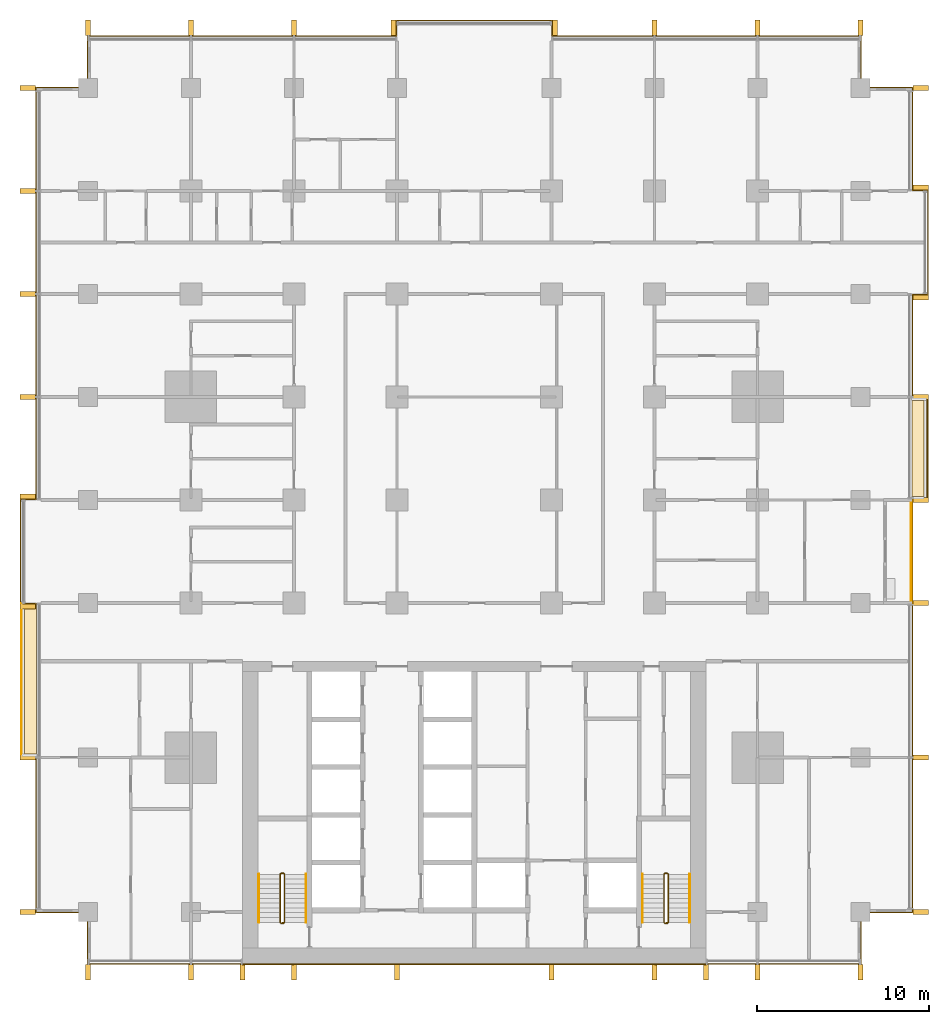
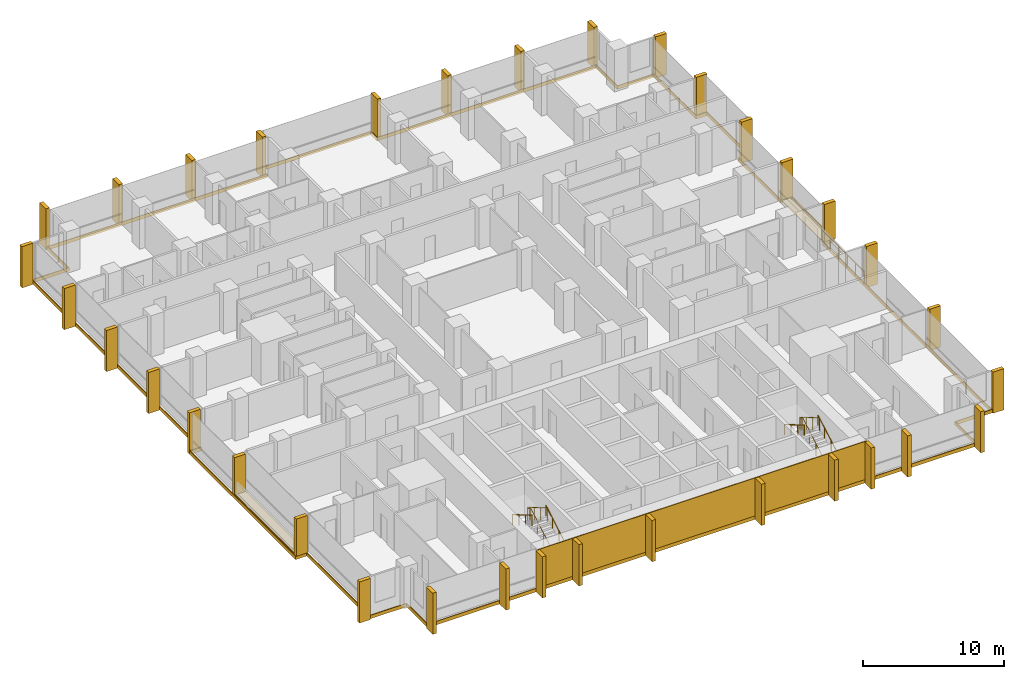
# One storey, part 17 of 17: 34 shading devices, 10 coverings, 7 railings.
"""IFC4 building model written with IfcOpenShell, lengths in metres."""

from ifc_helpers import new_model, si_unit, direction, frame, origin, origin_2d, place, context, subcontext, project, spatial, polyline, rectangle, circle, outline, extrude, material, layer, layer_set, type_object, element, save


model = new_model("IFC4")

# Units and contexts
model_context = context("Model", 3, precision=1e-05, world=origin(), true_north=direction((0.0, 1.0)))
body_context = subcontext(model_context, "Body", "Model", "MODEL_VIEW")
ifc_project = project(units=[si_unit("LENGTHUNIT", "METRE"), si_unit("AREAUNIT", "SQUARE_METRE"), si_unit("VOLUMEUNIT", "CUBIC_METRE"), si_unit("PLANEANGLEUNIT", "RADIAN"), si_unit("MASSUNIT", "GRAM", prefix="KILO")], contexts=[model_context])

# Site, building, storey
site_placement = place(None, origin())
site = spatial("IfcSite", under=ifc_project, at=site_placement, CompositionType="ELEMENT")
building_placement = place(site_placement, origin())
building = spatial("IfcBuilding", under=site, at=building_placement, Name="Finial Court Residences", CompositionType="ELEMENT")
storey_placement = place(building_placement, frame((0.0, 0.0, 64.89990234375)))
storey = spatial("IfcBuildingStorey", under=building, at=storey_placement, Name="L15", CompositionType="ELEMENT", Elevation=64.89990234375)

# Railing
ifc_material_1 = material(Name="Bronze anodised aluminium", Category="aluminium")
railing_type_1 = type_object("IfcRailingType", Name="Balcony guard 1100", PredefinedType="GUARDRAIL", material=ifc_material_1)
railing_1_placement = place(storey_placement, frame((25.449951171875, -4.5, 0.0)))
element("IfcRailing", 1, at=railing_1_placement, inside=storey, type_object=railing_type_1, Name="E-L15-BALE3-R", PredefinedType="GUARDRAIL", context=body_context, shape_type="SweptSolid", body=[
    extrude(circle(Radius=0.02392578125, at=origin_2d()), frame((0.0, 0.0, 1.076171875), z_axis=(0.0, 1.0, 0.0), x_axis=(-1.0, 0.0, 0.0)), (0.0, 0.0, 1.0), 6.0),
    extrude(circle(Radius=0.02099609375, at=origin_2d()), origin(), (0.0, 0.0, 1.0), 1.052001953125),
    extrude(circle(Radius=0.02099609375, at=origin_2d()), frame((0.0, 1.199951171875, 0.0)), (0.0, 0.0, 1.0), 1.052001953125),
    extrude(circle(Radius=0.02099609375, at=origin_2d()), frame((0.0, 2.39990234375, 0.0)), (0.0, 0.0, 1.0), 1.052001953125),
    extrude(circle(Radius=0.02099609375, at=origin_2d()), frame((0.0, 3.60009765625, 0.0)), (0.0, 0.0, 1.0), 1.052001953125),
    extrude(circle(Radius=0.02099609375, at=origin_2d()), frame((0.0, 4.800048828125, 0.0)), (0.0, 0.0, 1.0), 1.052001953125),
    extrude(circle(Radius=0.02099609375, at=origin_2d()), frame((0.0, 6.0, 0.0)), (0.0, 0.0, 1.0), 1.052001953125),
])

# Coverings
ifc_material_2 = material(Name="Natural limestone", Category="masonry")
ifc_layer_1 = layer(ifc_material_2, 0.06005859375)
ifc_layer_set_1 = layer_set([ifc_layer_1], Name="Limestone cladding to the blind core face 60")
covering_type_1 = type_object("IfcCoveringType", Name="Limestone cladding to the blind core face 60", PredefinedType="CLADDING", material=ifc_layer_set_1)
covering_1_placement = place(storey_placement, origin())
element("IfcCovering", 2, at=covering_1_placement, inside=storey, type_object=covering_type_1, Name="E-L15-CLAD1", PredefinedType="CLADDING", context=body_context, shape_type="SweptSolid", body=[
    extrude(outline(polyline([(-10.5, -25.56005859375), (-10.5, -25.5), (-13.5, -25.5), (-13.5, -25.56005859375), (-10.5, -25.56005859375)])), origin(), (0.0, 0.0, 1.0), 3.300048828125),
])
covering_2_placement = place(storey_placement, origin())
element("IfcCovering", 3, at=covering_2_placement, inside=storey, type_object=covering_type_1, Name="E-L15-CLAD2", PredefinedType="CLADDING", context=body_context, shape_type="SweptSolid", body=[
    extrude(outline(polyline([(-4.5, -25.56005859375), (-4.5, -25.5), (-10.5, -25.5), (-10.5, -25.56005859375), (-4.5, -25.56005859375)])), origin(), (0.0, 0.0, 1.0), 3.300048828125),
])
covering_3_placement = place(storey_placement, origin())
element("IfcCovering", 4, at=covering_3_placement, inside=storey, type_object=covering_type_1, Name="E-L15-CLAD3", PredefinedType="CLADDING", context=body_context, shape_type="SweptSolid", body=[
    extrude(outline(polyline([(4.5, -25.56005859375), (4.5, -25.5), (-4.5, -25.5), (-4.5, -25.56005859375), (4.5, -25.56005859375)])), origin(), (0.0, 0.0, 1.0), 3.300048828125),
])
covering_4_placement = place(storey_placement, origin())
element("IfcCovering", 5, at=covering_4_placement, inside=storey, type_object=covering_type_1, Name="E-L15-CLAD4", PredefinedType="CLADDING", context=body_context, shape_type="SweptSolid", body=[
    extrude(outline(polyline([(10.5, -25.56005859375), (10.5, -25.5), (4.5, -25.5), (4.5, -25.56005859375), (10.5, -25.56005859375)])), origin(), (0.0, 0.0, 1.0), 3.300048828125),
])
covering_5_placement = place(storey_placement, origin())
element("IfcCovering", 6, at=covering_5_placement, inside=storey, type_object=covering_type_1, Name="E-L15-CLAD5", PredefinedType="CLADDING", context=body_context, shape_type="SweptSolid", body=[
    extrude(outline(polyline([(13.5, -25.56005859375), (13.5, -25.5), (10.5, -25.5), (10.5, -25.56005859375), (13.5, -25.56005859375)])), origin(), (0.0, 0.0, 1.0), 3.300048828125),
])

# Shading devices
shading_device_type = type_object("IfcShadingDeviceType", Name="Limestone fin 300 x 900", PredefinedType="USERDEFINED", material=ifc_material_2)
for number, where, z_axis, x_axis, name in (
    (7, (-22.5, 29.010009765625, -0.300048828125), (0.0, 0.0, 1.0), (1.0, 0.0, 0.0), "E-L15-FIN-N1"),
    (8, (-16.5, 29.010009765625, -0.300048828125), (0.0, 0.0, 1.0), (1.0, 0.0, 0.0), "E-L15-FIN-N2"),
    (9, (-10.5, 29.010009765625, -0.300048828125), (0.0, 0.0, 1.0), (1.0, 0.0, 0.0), "E-L15-FIN-N3"),
    (10, (-4.7099609375, 29.010009765625, -0.300048828125), (0.0, 0.0, 1.0), (1.0, 0.0, 0.0), "E-L15-FIN-N4"),
    (11, (4.7099609375, 29.010009765625, -0.300048828125), (0.0, 0.0, 1.0), (1.0, 0.0, 0.0), "E-L15-FIN-N5"),
    (12, (10.5, 29.010009765625, -0.300048828125), (0.0, 0.0, 1.0), (1.0, 0.0, 0.0), "E-L15-FIN-N6"),
    (13, (16.5, 29.010009765625, -0.300048828125), (0.0, 0.0, 1.0), (1.0, 0.0, 0.0), "E-L15-FIN-N7"),
    (14, (22.5, 29.010009765625, -0.300048828125), (0.0, 0.0, 1.0), (1.0, 0.0, 0.0), "E-L15-FIN-N8"),
):
    element("IfcShadingDevice", number, at=place(storey_placement, frame(where, z_axis=z_axis, x_axis=x_axis)), inside=storey, type_object=shading_device_type, Name=name, ObjectType="FIN", PredefinedType="USERDEFINED", context=body_context, shape_type="SweptSolid", body=[
        extrude(rectangle(XDim=0.300048828125, YDim=0.89990234375, at=origin_2d()), origin(), (0.0, 0.0, 1.0), 3.580078125),
    ])
for number, where, z_axis, x_axis, name in (
    (15, (26.010009765625, -22.5, -0.300048828125), (0.0, 0.0, 1.0), (1.0, 0.0, 0.0), "E-L15-FIN-E9"),
    (16, (26.010009765625, -13.5, -0.300048828125), (0.0, 0.0, 1.0), (1.0, 0.0, 0.0), "E-L15-FIN-E10"),
    (17, (26.010009765625, -4.5, -0.300048828125), (0.0, 0.0, 1.0), (1.0, 0.0, 0.0), "E-L15-FIN-E11"),
):
    element("IfcShadingDevice", number, at=place(storey_placement, frame(where, z_axis=z_axis, x_axis=x_axis)), inside=storey, type_object=shading_device_type, Name=name, ObjectType="FIN", PredefinedType="USERDEFINED", context=body_context, shape_type="SweptSolid", body=[
        extrude(rectangle(XDim=0.89990234375, YDim=0.300048828125, at=origin_2d()), origin(), (0.0, 0.0, 1.0), 3.580078125),
    ])
for number, where, z_axis, x_axis, name in (
    (18, (26.010009765625, 1.5, 0.0400390625), (0.0, 0.0, 1.0), (1.0, 0.0, 0.0), "E-L15-FIN-E12"),
    (19, (26.010009765625, 7.5, 0.0400390625), (0.0, 0.0, 1.0), (1.0, 0.0, 0.0), "E-L15-FIN-E13"),
):
    element("IfcShadingDevice", number, at=place(storey_placement, frame(where, z_axis=z_axis, x_axis=x_axis)), inside=storey, type_object=shading_device_type, Name=name, ObjectType="FIN", PredefinedType="USERDEFINED", context=body_context, shape_type="SweptSolid", body=[
        extrude(rectangle(XDim=0.89990234375, YDim=0.300048828125, at=origin_2d()), origin(), (0.0, 0.0, 1.0), 3.239990234375),
    ])
for number, where, z_axis, x_axis, name in (
    (20, (26.010009765625, 13.2900390625, -0.300048828125), (0.0, 0.0, 1.0), (1.0, 0.0, 0.0), "E-L15-FIN-E14"),
    (21, (26.010009765625, 19.7099609375, -0.300048828125), (0.0, 0.0, 1.0), (1.0, 0.0, 0.0), "E-L15-FIN-E15"),
    (22, (26.010009765625, 25.5, -0.300048828125), (0.0, 0.0, 1.0), (1.0, 0.0, 0.0), "E-L15-FIN-E16"),
):
    element("IfcShadingDevice", number, at=place(storey_placement, frame(where, z_axis=z_axis, x_axis=x_axis)), inside=storey, type_object=shading_device_type, Name=name, ObjectType="FIN", PredefinedType="USERDEFINED", context=body_context, shape_type="SweptSolid", body=[
        extrude(rectangle(XDim=0.89990234375, YDim=0.300048828125, at=origin_2d()), origin(), (0.0, 0.0, 1.0), 3.580078125),
    ])
for number, where, z_axis, x_axis, name in (
    (23, (-22.5, -26.010009765625, -0.300048828125), (0.0, 0.0, 1.0), (1.0, 0.0, 0.0), "E-L15-FIN-S17"),
    (24, (-16.5, -26.010009765625, -0.300048828125), (0.0, 0.0, 1.0), (1.0, 0.0, 0.0), "E-L15-FIN-S18"),
    (25, (-13.5, -26.010009765625, -0.300048828125), (0.0, 0.0, 1.0), (1.0, 0.0, 0.0), "E-L15-FIN-S19"),
    (26, (-10.5, -26.010009765625, -0.300048828125), (0.0, 0.0, 1.0), (1.0, 0.0, 0.0), "E-L15-FIN-S20"),
    (27, (-4.5, -26.010009765625, -0.300048828125), (0.0, 0.0, 1.0), (1.0, 0.0, 0.0), "E-L15-FIN-S21"),
    (28, (4.5, -26.010009765625, -0.300048828125), (0.0, 0.0, 1.0), (1.0, 0.0, 0.0), "E-L15-FIN-S22"),
    (29, (10.5, -26.010009765625, -0.300048828125), (0.0, 0.0, 1.0), (1.0, 0.0, 0.0), "E-L15-FIN-S23"),
    (30, (13.5, -26.010009765625, -0.300048828125), (0.0, 0.0, 1.0), (1.0, 0.0, 0.0), "E-L15-FIN-S24"),
    (31, (16.5, -26.010009765625, -0.300048828125), (0.0, 0.0, 1.0), (1.0, 0.0, 0.0), "E-L15-FIN-S25"),
    (32, (22.5, -26.010009765625, -0.300048828125), (0.0, 0.0, 1.0), (1.0, 0.0, 0.0), "E-L15-FIN-S26"),
):
    element("IfcShadingDevice", number, at=place(storey_placement, frame(where, z_axis=z_axis, x_axis=x_axis)), inside=storey, type_object=shading_device_type, Name=name, ObjectType="FIN", PredefinedType="USERDEFINED", context=body_context, shape_type="SweptSolid", body=[
        extrude(rectangle(XDim=0.300048828125, YDim=0.89990234375, at=origin_2d()), origin(), (0.0, 0.0, 1.0), 3.580078125),
    ])
shading_device_placement = place(storey_placement, frame((-26.010009765625, -22.5, -0.300048828125), z_axis=(0.0, 0.0, 1.0), x_axis=(1.0, 0.0, 0.0)))
element("IfcShadingDevice", 33, at=shading_device_placement, inside=storey, type_object=shading_device_type, Name="E-L15-FIN-W27", ObjectType="FIN", PredefinedType="USERDEFINED", context=body_context, shape_type="SweptSolid", body=[
    extrude(rectangle(XDim=0.89990234375, YDim=0.300048828125, at=origin_2d()), origin(), (0.0, 0.0, 1.0), 3.580078125),
])
for number, where, z_axis, x_axis, name in (
    (34, (-26.010009765625, -13.5, 0.0400390625), (0.0, 0.0, 1.0), (1.0, 0.0, 0.0), "E-L15-FIN-W28"),
    (35, (-26.010009765625, -4.7099609375, 0.0400390625), (0.0, 0.0, 1.0), (1.0, 0.0, 0.0), "E-L15-FIN-W29"),
):
    element("IfcShadingDevice", number, at=place(storey_placement, frame(where, z_axis=z_axis, x_axis=x_axis)), inside=storey, type_object=shading_device_type, Name=name, ObjectType="FIN", PredefinedType="USERDEFINED", context=body_context, shape_type="SweptSolid", body=[
        extrude(rectangle(XDim=0.89990234375, YDim=0.300048828125, at=origin_2d()), origin(), (0.0, 0.0, 1.0), 3.239990234375),
    ])
for number, where, z_axis, x_axis, name in (
    (36, (-26.010009765625, 1.7099609375, -0.300048828125), (0.0, 0.0, 1.0), (1.0, 0.0, 0.0), "E-L15-FIN-W30"),
    (37, (-26.010009765625, 7.5, -0.300048828125), (0.0, 0.0, 1.0), (1.0, 0.0, 0.0), "E-L15-FIN-W31"),
    (38, (-26.010009765625, 13.5, -0.300048828125), (0.0, 0.0, 1.0), (1.0, 0.0, 0.0), "E-L15-FIN-W32"),
    (39, (-26.010009765625, 19.5, -0.300048828125), (0.0, 0.0, 1.0), (1.0, 0.0, 0.0), "E-L15-FIN-W33"),
    (40, (-26.010009765625, 25.5, -0.300048828125), (0.0, 0.0, 1.0), (1.0, 0.0, 0.0), "E-L15-FIN-W34"),
):
    element("IfcShadingDevice", number, at=place(storey_placement, frame(where, z_axis=z_axis, x_axis=x_axis)), inside=storey, type_object=shading_device_type, Name=name, ObjectType="FIN", PredefinedType="USERDEFINED", context=body_context, shape_type="SweptSolid", body=[
        extrude(rectangle(XDim=0.89990234375, YDim=0.300048828125, at=origin_2d()), origin(), (0.0, 0.0, 1.0), 3.580078125),
    ])

# Coverings
ifc_material_3 = material(Name="Pale limestone", Category="masonry")
ifc_layer_2 = layer(ifc_material_3, 0.06005859375)
ifc_layer_set_2 = layer_set([ifc_layer_2], Name="Pale limestone slab-edge band 60")
covering_type_2 = type_object("IfcCoveringType", Name="Pale limestone slab-edge band 60", PredefinedType="CLADDING", material=ifc_layer_set_2)
covering_6_placement = place(storey_placement, frame((0.0, 0.0, -0.2998046875)))
element("IfcCovering", 41, at=covering_6_placement, inside=storey, type_object=covering_type_2, Name="E-L15-BAND1", PredefinedType="CLADDING", context=body_context, shape_type="SweptSolid", body=[
    extrude(outline(polyline([(-26.4599609375, 1.56005859375), (-25.56005859375, 1.56005859375), (-25.56005859375, 25.56005859375), (-22.56005859375, 25.56005859375), (-22.56005859375, 28.56005859375), (-4.56005859375, 28.56005859375), (-4.56005859375, 29.4599609375), (4.56005859375, 29.4599609375), (4.56005859375, 28.56005859375), (22.56005859375, 28.56005859375), (22.56005859375, 25.56005859375), (25.56005859375, 25.56005859375), (25.56005859375, 19.56005859375), (26.4599609375, 19.56005859375), (26.4599609375, 13.43994140625), (25.56005859375, 13.43994140625), (25.56005859375, 7.56005859375), (26.4599609375, 7.56005859375), (26.4599609375, 1.43994140625), (25.56005859375, 1.43994140625), (25.56005859375, -22.56005859375), (22.56005859375, -22.56005859375), (22.56005859375, -25.56005859375), (-22.56005859375, -25.56005859375), (-22.56005859375, -22.56005859375), (-25.56005859375, -22.56005859375), (-25.56005859375, -13.56005859375), (-26.4599609375, -13.56005859375), (-26.4599609375, 1.56005859375)]), holes=[polyline([(-25.5, -13.5), (-25.5, -22.5), (-22.5, -22.5), (-22.5, -25.5), (22.5, -25.5), (22.5, -22.5), (25.5, -22.5), (25.5, -4.5), (25.5, 1.5), (26.39990234375, 1.5), (26.39990234375, 7.5), (25.5, 7.5), (25.5, 13.5), (26.39990234375, 13.5), (26.39990234375, 19.5), (25.5, 19.5), (25.5, 25.5), (22.5, 25.5), (22.5, 28.5), (4.5, 28.5), (4.5, 29.39990234375), (-4.5, 29.39990234375), (-4.5, 28.5), (-22.5, 28.5), (-22.5, 25.5), (-25.5, 25.5), (-25.5, 1.5), (-26.39990234375, 1.5), (-26.39990234375, -4.5), (-26.39990234375, -13.5), (-25.5, -13.5)])]), origin(), (0.0, 0.0, 1.0), 0.2998046875),
])
ifc_material_4 = material(Name="Bitumen membrane")
ifc_layer_3 = layer(ifc_material_4, 0.0400390625)
ifc_layer_set_3 = layer_set([ifc_layer_3], Name="Push box roofing, bitumen membrane 40")
covering_type_3 = type_object("IfcCoveringType", Name="Push box roofing, bitumen membrane 40", PredefinedType="ROOFING", material=ifc_layer_set_3)
covering_7_placement = place(storey_placement, origin())
element("IfcCovering", 42, at=covering_7_placement, inside=storey, type_object=covering_type_3, Name="E-L15-LED1", PredefinedType="ROOFING", context=body_context, shape_type="SweptSolid", body=[
    extrude(outline(polyline([(25.5, 1.550048828125), (26.199951171875, 1.550048828125), (26.35009765625, 1.550048828125), (26.35009765625, 7.300048828125), (26.35009765625, 7.300048828125), (26.35009765625, 7.449951171875), (25.5, 7.449951171875), (25.5, 7.5), (26.39990234375, 7.5), (26.39990234375, 1.5), (25.5, 1.5), (25.5, 1.550048828125)])), origin(), (0.0, 0.0, 1.0), 0.0400390625),
])
covering_8_placement = place(storey_placement, origin())
element("IfcCovering", 43, at=covering_8_placement, inside=storey, type_object=covering_type_3, Name="E-L15-LED1b", PredefinedType="ROOFING", context=body_context, shape_type="SweptSolid", body=[
    extrude(outline(polyline([(25.5, 7.300048828125), (26.199951171875, 7.300048828125), (26.199951171875, 1.699951171875), (25.5, 1.699951171875), (25.5, 7.300048828125)])), origin(), (0.0, 0.0, 1.0), 0.0400390625),
])
covering_9_placement = place(storey_placement, origin())
element("IfcCovering", 44, at=covering_9_placement, inside=storey, type_object=covering_type_3, Name="E-L15-LED2", PredefinedType="ROOFING", context=body_context, shape_type="SweptSolid", body=[
    extrude(outline(polyline([(-25.5, -13.300048828125), (-26.199951171875, -13.300048828125), (-26.199951171875, -4.5), (-25.5, -4.5), (-25.5, -13.300048828125)])), origin(), (0.0, 0.0, 1.0), 0.0400390625),
])
covering_10_placement = place(storey_placement, origin())
element("IfcCovering", 45, at=covering_10_placement, inside=storey, type_object=covering_type_3, Name="E-L15-LED2b", PredefinedType="ROOFING", context=body_context, shape_type="SweptSolid", body=[
    extrude(outline(polyline([(-25.5, -13.5), (-26.39990234375, -13.5), (-26.39990234375, -4.5), (-26.35009765625, -4.5), (-26.35009765625, -13.300048828125), (-26.35009765625, -13.300048828125), (-26.35009765625, -13.449951171875), (-25.5, -13.449951171875), (-25.5, -13.5)])), origin(), (0.0, 0.0, 1.0), 0.0400390625),
])

# Railings
ifc_material_5 = material(Name="Stainless steel railing", Category="steel")
railing_type_2 = type_object("IfcRailingType", Name="Stair guard 1100", PredefinedType="GUARDRAIL", material=ifc_material_5)
railing_2_placement = place(storey_placement, frame((-11.10009765625, -23.14990234375, 0.0)))
element("IfcRailing", 46, at=railing_2_placement, inside=storey, type_object=railing_type_2, Name="L15 ST-1 stair guard 1", PredefinedType="GUARDRAIL", context=body_context, shape_type="SweptSolid", body=[
    extrude(circle(Radius=0.02392578125, at=origin_2d()), frame((0.0, 0.0, 1.076171875), z_axis=(-1.0, 0.0, 0.0), x_axis=(0.0, -1.0, 0.0)), (0.0, 0.0, 1.0), 0.14990234375),
    extrude(circle(Radius=0.02392578125, at=origin_2d()), frame((-0.14990234375, 0.0, 1.076171875), z_axis=(0.759565762229, 0.189195867515, 0.622306015208), x_axis=(-0.241699205484, 0.970351222016, 0.0)), (0.0, 0.0, 1.0), 0.26318359375),
    extrude(circle(Radius=0.02392578125, at=origin_2d()), frame((0.050048828125, 0.0498046875, 1.23974609375), z_axis=(0.0, 0.863393664356, 0.504530851732), x_axis=(-1.0, 0.0, 0.0)), (0.0, 0.0, 1.0), 3.2431640625),
    extrude(circle(Radius=0.02392578125, at=origin_2d()), frame((0.050048828125, 2.849853515625, 2.8759765625), z_axis=(-0.707106781187, 0.707106781187, 0.0), x_axis=(-0.707106781187, -0.707106781187, 0.0)), (0.0, 0.0, 1.0), 0.07080078125),
    extrude(circle(Radius=0.02392578125, at=origin_2d()), frame((0.0, 2.89990234375, 2.8759765625), z_axis=(-1.0, 0.0, 0.0), x_axis=(0.0, -1.0, 0.0)), (0.0, 0.0, 1.0), 0.14990234375),
    extrude(circle(Radius=0.02392578125, at=origin_2d()), frame((-0.14990234375, 2.89990234375, 2.8759765625), z_axis=(-0.280808744504, -0.280808744504, 0.917765164963), x_axis=(0.707106781187, -0.707106781187, 0.0)), (0.0, 0.0, 1.0), 0.17822265625),
    extrude(circle(Radius=0.02392578125, at=origin_2d()), frame((-0.199951171875, 2.849853515625, 3.03955078125), z_axis=(0.0, -0.863360870873, 0.504586966384), x_axis=(1.0, 0.0, 0.0)), (0.0, 0.0, 1.0), 3.2431640625),
    extrude(circle(Radius=0.02099609375, at=origin_2d()), origin(), (0.0, 0.0, 1.0), 1.052001953125),
    extrude(circle(Radius=0.02099609375, at=origin_2d()), frame((-0.14990234375, 0.0, 0.0)), (0.0, 0.0, 1.0), 1.052001953125),
    extrude(circle(Radius=0.02099609375, at=origin_2d()), frame((0.050048828125, 0.0498046875, 0.163818359375)), (0.0, 0.0, 1.0), 1.052001953125),
    extrude(circle(Radius=0.02099609375, at=origin_2d()), frame((0.050048828125, 0.983154296875, 0.709228515625)), (0.0, 0.0, 1.0), 1.052001953125),
    extrude(circle(Radius=0.02099609375, at=origin_2d()), frame((0.050048828125, 1.91650390625, 1.254638671875)), (0.0, 0.0, 1.0), 1.052001953125),
    extrude(circle(Radius=0.02099609375, at=origin_2d()), frame((0.050048828125, 2.849853515625, 1.800048828125)), (0.0, 0.0, 1.0), 1.052001953125),
    extrude(circle(Radius=0.02099609375, at=origin_2d()), frame((0.0, 2.89990234375, 1.800048828125)), (0.0, 0.0, 1.0), 1.052001953125),
    extrude(circle(Radius=0.02099609375, at=origin_2d()), frame((-0.14990234375, 2.89990234375, 1.800048828125)), (0.0, 0.0, 1.0), 1.052001953125),
    extrude(circle(Radius=0.02099609375, at=origin_2d()), frame((-0.199951171875, 2.849853515625, 1.963623046875)), (0.0, 0.0, 1.0), 1.052001953125),
    extrude(circle(Radius=0.02099609375, at=origin_2d()), frame((-0.199951171875, 1.91650390625, 2.509033203125)), (0.0, 0.0, 1.0), 1.052001953125),
    extrude(circle(Radius=0.02099609375, at=origin_2d()), frame((-0.199951171875, 0.983154296875, 3.0546875)), (0.0, 0.0, 1.0), 1.052001953125),
    extrude(circle(Radius=0.02099609375, at=origin_2d()), frame((-0.199951171875, 0.0498046875, 3.60009765625)), (0.0, 0.0, 1.0), 1.052001953125),
])
railing_3_placement = place(storey_placement, frame((11.25, -23.14990234375, 0.0)))
element("IfcRailing", 47, at=railing_3_placement, inside=storey, type_object=railing_type_2, Name="L15 ST-2 stair guard 1", PredefinedType="GUARDRAIL", context=body_context, shape_type="SweptSolid", body=[
    extrude(circle(Radius=0.02392578125, at=origin_2d()), frame((0.0, 0.0, 1.076171875), z_axis=(-1.0, 0.0, 0.0), x_axis=(0.0, -1.0, 0.0)), (0.0, 0.0, 1.0), 0.14990234375),
    extrude(circle(Radius=0.02392578125, at=origin_2d()), frame((-0.14990234375, 0.0, 1.076171875), z_axis=(0.759565762229, 0.189195867515, 0.622306015208), x_axis=(-0.241699205484, 0.970351222016, 0.0)), (0.0, 0.0, 1.0), 0.26318359375),
    extrude(circle(Radius=0.02392578125, at=origin_2d()), frame((0.050048828125, 0.0498046875, 1.23974609375), z_axis=(0.0, 0.863393664356, 0.504530851732), x_axis=(-1.0, 0.0, 0.0)), (0.0, 0.0, 1.0), 3.2431640625),
    extrude(circle(Radius=0.02392578125, at=origin_2d()), frame((0.050048828125, 2.849853515625, 2.8759765625), z_axis=(-0.707106781187, 0.707106781187, 0.0), x_axis=(-0.707106781187, -0.707106781187, 0.0)), (0.0, 0.0, 1.0), 0.07080078125),
    extrude(circle(Radius=0.02392578125, at=origin_2d()), frame((0.0, 2.89990234375, 2.8759765625), z_axis=(-1.0, 0.0, 0.0), x_axis=(0.0, -1.0, 0.0)), (0.0, 0.0, 1.0), 0.14990234375),
    extrude(circle(Radius=0.02392578125, at=origin_2d()), frame((-0.14990234375, 2.89990234375, 2.8759765625), z_axis=(-0.280808744504, -0.280808744504, 0.917765164963), x_axis=(0.707106781187, -0.707106781187, 0.0)), (0.0, 0.0, 1.0), 0.17822265625),
    extrude(circle(Radius=0.02392578125, at=origin_2d()), frame((-0.199951171875, 2.849853515625, 3.03955078125), z_axis=(0.0, -0.863360870873, 0.504586966384), x_axis=(1.0, 0.0, 0.0)), (0.0, 0.0, 1.0), 3.2431640625),
    extrude(circle(Radius=0.02099609375, at=origin_2d()), origin(), (0.0, 0.0, 1.0), 1.052001953125),
    extrude(circle(Radius=0.02099609375, at=origin_2d()), frame((-0.14990234375, 0.0, 0.0)), (0.0, 0.0, 1.0), 1.052001953125),
    extrude(circle(Radius=0.02099609375, at=origin_2d()), frame((0.050048828125, 0.0498046875, 0.163818359375)), (0.0, 0.0, 1.0), 1.052001953125),
    extrude(circle(Radius=0.02099609375, at=origin_2d()), frame((0.050048828125, 0.983154296875, 0.709228515625)), (0.0, 0.0, 1.0), 1.052001953125),
    extrude(circle(Radius=0.02099609375, at=origin_2d()), frame((0.050048828125, 1.91650390625, 1.254638671875)), (0.0, 0.0, 1.0), 1.052001953125),
    extrude(circle(Radius=0.02099609375, at=origin_2d()), frame((0.050048828125, 2.849853515625, 1.800048828125)), (0.0, 0.0, 1.0), 1.052001953125),
    extrude(circle(Radius=0.02099609375, at=origin_2d()), frame((0.0, 2.89990234375, 1.800048828125)), (0.0, 0.0, 1.0), 1.052001953125),
    extrude(circle(Radius=0.02099609375, at=origin_2d()), frame((-0.14990234375, 2.89990234375, 1.800048828125)), (0.0, 0.0, 1.0), 1.052001953125),
    extrude(circle(Radius=0.02099609375, at=origin_2d()), frame((-0.199951171875, 2.849853515625, 1.963623046875)), (0.0, 0.0, 1.0), 1.052001953125),
    extrude(circle(Radius=0.02099609375, at=origin_2d()), frame((-0.199951171875, 1.91650390625, 2.509033203125)), (0.0, 0.0, 1.0), 1.052001953125),
    extrude(circle(Radius=0.02099609375, at=origin_2d()), frame((-0.199951171875, 0.983154296875, 3.0546875)), (0.0, 0.0, 1.0), 1.052001953125),
    extrude(circle(Radius=0.02099609375, at=origin_2d()), frame((-0.199951171875, 0.0498046875, 3.60009765625)), (0.0, 0.0, 1.0), 1.052001953125),
])
railing_type_3 = type_object("IfcRailingType", Name="Stair handrail 900", PredefinedType="HANDRAIL", material=ifc_material_5)
railing_4_placement = place(storey_placement, frame((-9.800048828125, -23.10009765625, 0.163818359375)))
element("IfcRailing", 48, at=railing_4_placement, inside=storey, type_object=railing_type_3, Name="L15 ST-1 stair handrail 1", PredefinedType="HANDRAIL", context=body_context, shape_type="SweptSolid", body=[
    extrude(circle(Radius=0.02392578125, at=origin_2d()), frame((0.0, 0.0, 0.8759765625), z_axis=(0.0, 0.863393664356, 0.504530851732), x_axis=(-1.0, 0.0, 0.0)), (0.0, 0.0, 1.0), 3.2431640625),
    extrude(circle(Radius=0.02099609375, at=origin_2d()), origin(), (0.0, 0.0, 1.0), 0.851806640625),
    extrude(circle(Radius=0.02099609375, at=origin_2d()), frame((0.0, 0.933349609375, 0.54541015625)), (0.0, 0.0, 1.0), 0.851806640625),
    extrude(circle(Radius=0.02099609375, at=origin_2d()), frame((0.0, 1.86669921875, 1.0908203125)), (0.0, 0.0, 1.0), 0.851806640625),
    extrude(circle(Radius=0.02099609375, at=origin_2d()), frame((0.0, 2.800048828125, 1.63623046875)), (0.0, 0.0, 1.0), 0.851806640625),
])
railing_5_placement = place(storey_placement, frame((-12.550048828125, -20.300048828125, 1.963623046875)))
element("IfcRailing", 49, at=railing_5_placement, inside=storey, type_object=railing_type_3, Name="L15 ST-1 stair handrail 2", PredefinedType="HANDRAIL", context=body_context, shape_type="SweptSolid", body=[
    extrude(circle(Radius=0.02392578125, at=origin_2d()), frame((0.0, 0.0, 0.8759765625), z_axis=(0.0, -0.863360870873, 0.504586966384), x_axis=(1.0, 0.0, 0.0)), (0.0, 0.0, 1.0), 3.2431640625),
    extrude(circle(Radius=0.02099609375, at=origin_2d()), origin(), (0.0, 0.0, 1.0), 0.851806640625),
    extrude(circle(Radius=0.02099609375, at=origin_2d()), frame((0.0, -0.933349609375, 0.54541015625)), (0.0, 0.0, 1.0), 0.851806640625),
    extrude(circle(Radius=0.02099609375, at=origin_2d()), frame((0.0, -1.86669921875, 1.091064453125)), (0.0, 0.0, 1.0), 0.851806640625),
    extrude(circle(Radius=0.02099609375, at=origin_2d()), frame((0.0, -2.800048828125, 1.636474609375)), (0.0, 0.0, 1.0), 0.851806640625),
])
railing_6_placement = place(storey_placement, frame((12.550048828125, -23.10009765625, 0.163818359375)))
element("IfcRailing", 50, at=railing_6_placement, inside=storey, type_object=railing_type_3, Name="L15 ST-2 stair handrail 1", PredefinedType="HANDRAIL", context=body_context, shape_type="SweptSolid", body=[
    extrude(circle(Radius=0.02392578125, at=origin_2d()), frame((0.0, 0.0, 0.8759765625), z_axis=(0.0, 0.863393664356, 0.504530851732), x_axis=(-1.0, 0.0, 0.0)), (0.0, 0.0, 1.0), 3.2431640625),
    extrude(circle(Radius=0.02099609375, at=origin_2d()), origin(), (0.0, 0.0, 1.0), 0.851806640625),
    extrude(circle(Radius=0.02099609375, at=origin_2d()), frame((0.0, 0.933349609375, 0.54541015625)), (0.0, 0.0, 1.0), 0.851806640625),
    extrude(circle(Radius=0.02099609375, at=origin_2d()), frame((0.0, 1.86669921875, 1.0908203125)), (0.0, 0.0, 1.0), 0.851806640625),
    extrude(circle(Radius=0.02099609375, at=origin_2d()), frame((0.0, 2.800048828125, 1.63623046875)), (0.0, 0.0, 1.0), 0.851806640625),
])
railing_7_placement = place(storey_placement, frame((9.800048828125, -20.300048828125, 1.963623046875)))
element("IfcRailing", 51, at=railing_7_placement, inside=storey, type_object=railing_type_3, Name="L15 ST-2 stair handrail 2", PredefinedType="HANDRAIL", context=body_context, shape_type="SweptSolid", body=[
    extrude(circle(Radius=0.02392578125, at=origin_2d()), frame((0.0, 0.0, 0.8759765625), z_axis=(0.0, -0.863360870873, 0.504586966384), x_axis=(1.0, 0.0, 0.0)), (0.0, 0.0, 1.0), 3.2431640625),
    extrude(circle(Radius=0.02099609375, at=origin_2d()), origin(), (0.0, 0.0, 1.0), 0.851806640625),
    extrude(circle(Radius=0.02099609375, at=origin_2d()), frame((0.0, -0.933349609375, 0.54541015625)), (0.0, 0.0, 1.0), 0.851806640625),
    extrude(circle(Radius=0.02099609375, at=origin_2d()), frame((0.0, -1.86669921875, 1.091064453125)), (0.0, 0.0, 1.0), 0.851806640625),
    extrude(circle(Radius=0.02099609375, at=origin_2d()), frame((0.0, -2.800048828125, 1.636474609375)), (0.0, 0.0, 1.0), 0.851806640625),
])

save(model, "model.ifc")
